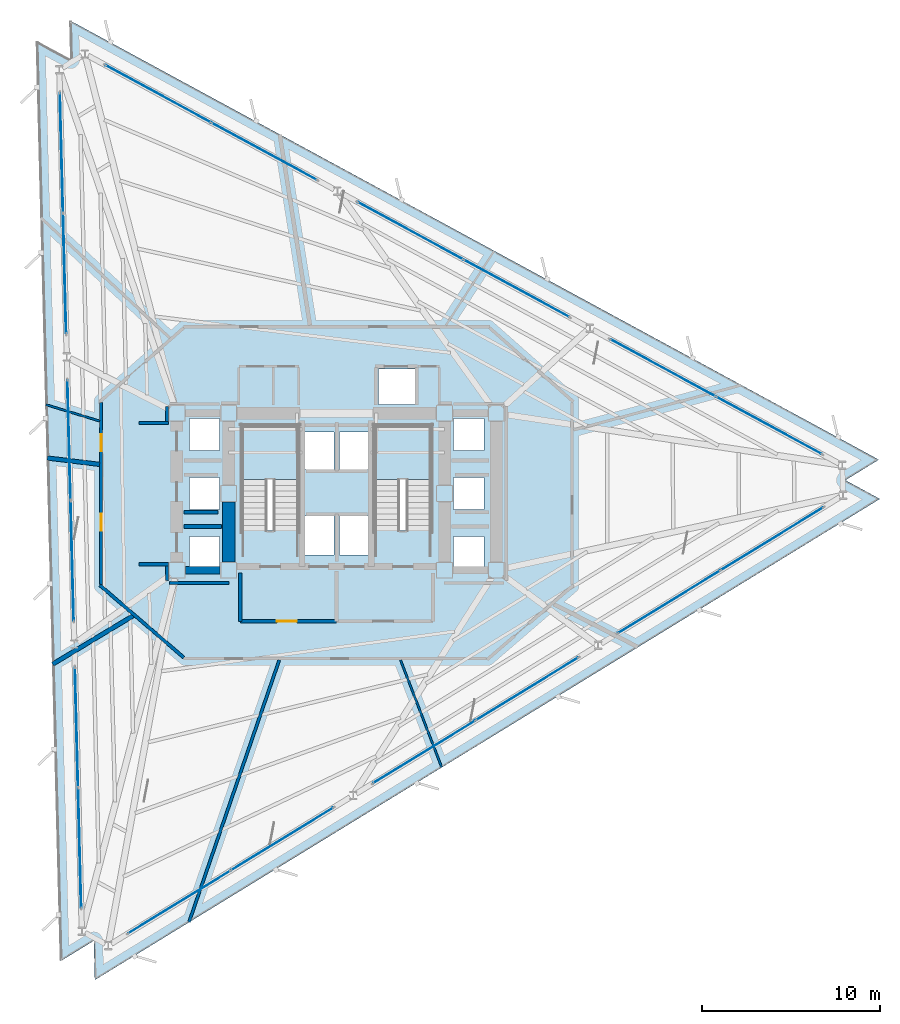
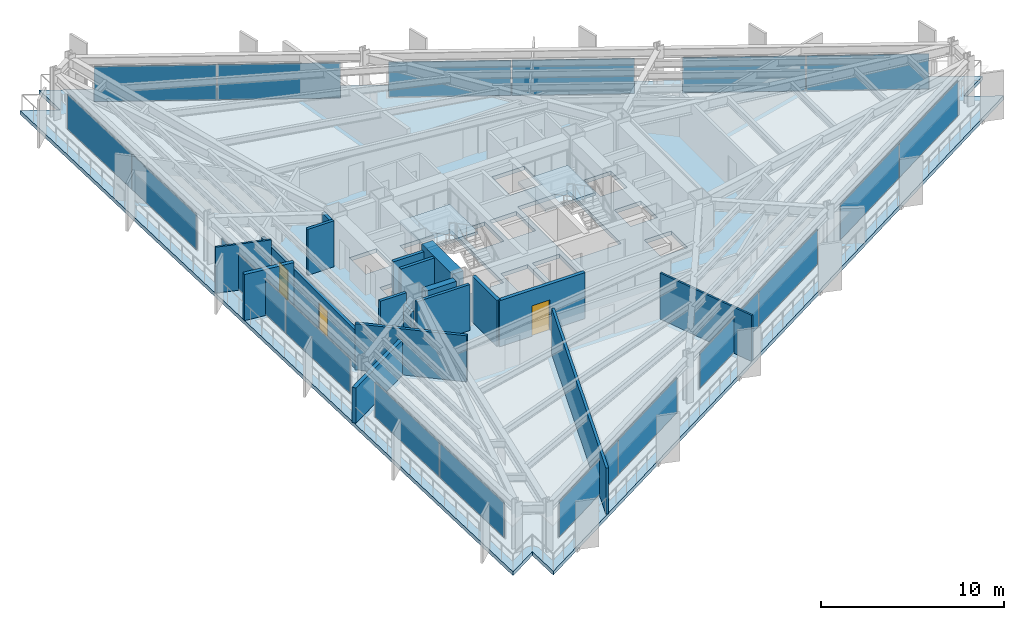
# One storey, part 7 of 14: 18 plates, 18 walls, 3 doors, 3 slabs, 3 openings, 11 elements without a shape of their own.
"""IFC4 building model written with IfcOpenShell, lengths in metres."""

from ifc_helpers import new_model, si_unit, direction, frame, frame_2d, origin, origin_2d, place, context, subcontext, project, spatial, polyline, rectangle, outline, extrude, material, layer, layer_set, type_object, element, fill, aggregate, save


model = new_model("IFC4")

# Units and contexts
model_context = context("Model", 3, precision=1e-05, world=origin(), true_north=direction((0.0, 1.0)))
body_context = subcontext(model_context, "Body", "Model", "MODEL_VIEW")
ifc_project = project(units=[si_unit("LENGTHUNIT", "METRE"), si_unit("AREAUNIT", "SQUARE_METRE"), si_unit("VOLUMEUNIT", "CUBIC_METRE"), si_unit("PLANEANGLEUNIT", "RADIAN"), si_unit("MASSUNIT", "GRAM", prefix="KILO")], contexts=[model_context])

# Site, building, storey
site_placement = place(None, origin())
site = spatial("IfcSite", under=ifc_project, at=site_placement, CompositionType="ELEMENT")
building_placement = place(site_placement, origin())
building = spatial("IfcBuilding", under=site, at=building_placement, Name="Rocaltana Carrier Exchange", CompositionType="ELEMENT")
storey_placement = place(building_placement, frame((0.0, 0.0, 35.679931640625)))
storey = spatial("IfcBuildingStorey", under=building, at=storey_placement, Name="L11", CompositionType="ELEMENT", Elevation=35.679931640625)

# Curtain wall, plates
ifc_material_1 = material(Name="Aluminium 6063-T6", Category="aluminium")
ifc_layer_1 = layer(ifc_material_1, 0.179931640625)
ifc_layer_set_1 = layer_set([ifc_layer_1], Name="Aluminium 6063-T6")
curtain_wall_type = type_object("IfcCurtainWallType", Name="Sandstone Spandrel Unitised Curtain Wall CW-01", PredefinedType="NOTDEFINED", material=ifc_layer_set_1)
curtain_wall_1_placement = place(storey_placement, origin())
curtain_wall_1 = element("IfcCurtainWall", 1, at=curtain_wall_1_placement, inside=storey, type_object=curtain_wall_type, Name="L11 CW-01 Run CW-L11-F1S1", PredefinedType="NOTDEFINED")
ifc_material_2 = material(Name="Tempered Laminated Glass", Category="glass")
ifc_layer_2 = layer(ifc_material_2, 0.0439453125)
ifc_layer_set_2 = layer_set([ifc_layer_2], Name="Tempered Laminated Glass")
plate_type = type_object("IfcPlateType", Name="CW-01 Stone-Insulated Vision Panel", PredefinedType="CURTAIN_PANEL", material=ifc_layer_set_2)
plate_1_placement = place(storey_placement, frame((24.23974609375, 3.8115234375, 0.06494140625), z_axis=(0.0, 0.0, 1.0), x_axis=(-0.878815639636, 0.477161473226, 0.0)))
plate_1 = element("IfcPlate", 2, at=plate_1_placement, type_object=plate_type, Name="CW-01 panel 1.1", PredefinedType="CURTAIN_PANEL", context=body_context, shape_type="SweptSolid", body=[
    extrude(rectangle(XDim=6.702392578125, YDim=0.0439453125, at=origin_2d()), origin(), (0.0, 0.0, 1.0), 2.347900390625),
])
plate_2_placement = place(storey_placement, frame((18.29248046875, 7.04052734375, 0.06494140625), z_axis=(0.0, 0.0, 1.0), x_axis=(-0.878815639636, 0.477161473226, 0.0)))
plate_2 = element("IfcPlate", 3, at=plate_2_placement, type_object=plate_type, Name="CW-01 panel 2.1", PredefinedType="CURTAIN_PANEL", context=body_context, shape_type="SweptSolid", body=[
    extrude(rectangle(XDim=6.702392578125, YDim=0.0439453125, at=origin_2d()), origin(), (0.0, 0.0, 1.0), 2.347900390625),
])
aggregate(curtain_wall_1, [plate_1, plate_2])

curtain_wall_2_placement = place(storey_placement, origin())
curtain_wall_2 = element("IfcCurtainWall", 4, at=curtain_wall_2_placement, inside=storey, type_object=curtain_wall_type, Name="L11 CW-01 Run CW-L11-F1S2", PredefinedType="NOTDEFINED")
plate_3_placement = place(storey_placement, frame((10.0908203125, 11.49365234375, 0.06494140625), z_axis=(0.0, 0.0, 1.0), x_axis=(-0.878814230428, 0.477164068636, 0.0)))
plate_3 = element("IfcPlate", 5, at=plate_3_placement, type_object=plate_type, Name="CW-01 panel 1.1", PredefinedType="CURTAIN_PANEL", context=body_context, shape_type="SweptSolid", body=[
    extrude(rectangle(XDim=6.70263671875, YDim=0.0439453125, at=origin_2d()), origin(), (0.0, 0.0, 1.0), 2.347900390625),
])
plate_4_placement = place(storey_placement, frame((4.1435546875, 14.722900390625, 0.06494140625), z_axis=(0.0, 0.0, 1.0), x_axis=(-0.878814230428, 0.477164068636, 0.0)))
plate_4 = element("IfcPlate", 6, at=plate_4_placement, type_object=plate_type, Name="CW-01 panel 2.1", PredefinedType="CURTAIN_PANEL", context=body_context, shape_type="SweptSolid", body=[
    extrude(rectangle(XDim=6.70263671875, YDim=0.0439453125, at=origin_2d()), origin(), (0.0, 0.0, 1.0), 2.347900390625),
])
aggregate(curtain_wall_2, [plate_3, plate_4])

curtain_wall_3_placement = place(storey_placement, origin())
curtain_wall_3 = element("IfcCurtainWall", 7, at=curtain_wall_3_placement, inside=storey, type_object=curtain_wall_type, Name="L11 CW-01 Run CW-L11-F1S3", PredefinedType="NOTDEFINED")
plate_5_placement = place(storey_placement, frame((-4.05810546875, 19.176025390625, 0.06494140625), z_axis=(0.0, 0.0, 1.0), x_axis=(-0.878818722982, 0.477155794406, 0.0)))
plate_5 = element("IfcPlate", 8, at=plate_5_placement, type_object=plate_type, Name="CW-01 panel 1.1", PredefinedType="CURTAIN_PANEL", context=body_context, shape_type="SweptSolid", body=[
    extrude(rectangle(XDim=6.702392578125, YDim=0.0439453125, at=origin_2d()), origin(), (0.0, 0.0, 1.0), 2.347900390625),
])
plate_6_placement = place(storey_placement, frame((-10.00537109375, 22.405029296875, 0.06494140625), z_axis=(0.0, 0.0, 1.0), x_axis=(-0.878818722982, 0.477155794406, 0.0)))
plate_6 = element("IfcPlate", 9, at=plate_6_placement, type_object=plate_type, Name="CW-01 panel 2.1", PredefinedType="CURTAIN_PANEL", context=body_context, shape_type="SweptSolid", body=[
    extrude(rectangle(XDim=6.702392578125, YDim=0.0439453125, at=origin_2d()), origin(), (0.0, 0.0, 1.0), 2.347900390625),
])
aggregate(curtain_wall_3, [plate_5, plate_6])

curtain_wall_4_placement = place(storey_placement, origin())
curtain_wall_4 = element("IfcCurtainWall", 10, at=curtain_wall_4_placement, inside=storey, type_object=curtain_wall_type, Name="L11 CW-01 Run CW-L11-F2S1", PredefinedType="NOTDEFINED")
plate_7_placement = place(storey_placement, frame((-15.420654296875, 19.086669921875, 0.06494140625), z_axis=(0.0, 0.0, 1.0), x_axis=(0.026183895077, -0.999657143044, 0.0)))
plate_7 = element("IfcPlate", 11, at=plate_7_placement, type_object=plate_type, Name="CW-01 panel 1.1", PredefinedType="CURTAIN_PANEL", context=body_context, shape_type="SweptSolid", body=[
    extrude(rectangle(XDim=6.702392578125, YDim=0.0439453125, at=origin_2d()), origin(), (0.0, 0.0, 1.0), 2.347900390625),
])
plate_8_placement = place(storey_placement, frame((-15.24365234375, 12.321533203125, 0.06494140625), z_axis=(0.0, 0.0, 1.0), x_axis=(0.026183895077, -0.999657143044, 0.0)))
plate_8 = element("IfcPlate", 12, at=plate_8_placement, type_object=plate_type, Name="CW-01 panel 2.1", PredefinedType="CURTAIN_PANEL", context=body_context, shape_type="SweptSolid", body=[
    extrude(rectangle(XDim=6.702392578125, YDim=0.0439453125, at=origin_2d()), origin(), (0.0, 0.0, 1.0), 2.347900390625),
])
aggregate(curtain_wall_4, [plate_7, plate_8])

curtain_wall_5_placement = place(storey_placement, origin())
curtain_wall_5 = element("IfcCurtainWall", 13, at=curtain_wall_5_placement, inside=storey, type_object=curtain_wall_type, Name="L11 CW-01 Run CW-L11-F2S2", PredefinedType="NOTDEFINED")
plate_9_placement = place(storey_placement, frame((-14.999267578125, 2.9921875, 0.06494140625), z_axis=(0.0, 0.0, 1.0), x_axis=(0.026176547142, -0.99965733548, 0.0)))
plate_9 = element("IfcPlate", 14, at=plate_9_placement, type_object=plate_type, Name="CW-01 panel 1.1", PredefinedType="CURTAIN_PANEL", context=body_context, shape_type="SweptSolid", body=[
    extrude(rectangle(XDim=6.702392578125, YDim=0.0439453125, at=origin_2d()), origin(), (0.0, 0.0, 1.0), 2.347900390625),
])
plate_10_placement = place(storey_placement, frame((-14.822021484375, -3.77294921875, 0.06494140625), z_axis=(0.0, 0.0, 1.0), x_axis=(0.026176547142, -0.99965733548, 0.0)))
plate_10 = element("IfcPlate", 15, at=plate_10_placement, type_object=plate_type, Name="CW-01 panel 2.1", PredefinedType="CURTAIN_PANEL", context=body_context, shape_type="SweptSolid", body=[
    extrude(rectangle(XDim=6.702392578125, YDim=0.0439453125, at=origin_2d()), origin(), (0.0, 0.0, 1.0), 2.347900390625),
])
aggregate(curtain_wall_5, [plate_9, plate_10])

curtain_wall_6_placement = place(storey_placement, origin())
curtain_wall_6 = element("IfcCurtainWall", 16, at=curtain_wall_6_placement, inside=storey, type_object=curtain_wall_type, Name="L11 CW-01 Run CW-L11-F2S3", PredefinedType="NOTDEFINED")
plate_11_placement = place(storey_placement, frame((-14.577880859375, -13.102294921875, 0.06494140625), z_axis=(0.0, 0.0, 1.0), x_axis=(0.026183895077, -0.999657143044, 0.0)))
plate_11 = element("IfcPlate", 17, at=plate_11_placement, type_object=plate_type, Name="CW-01 panel 1.1", PredefinedType="CURTAIN_PANEL", context=body_context, shape_type="SweptSolid", body=[
    extrude(rectangle(XDim=6.702392578125, YDim=0.0439453125, at=origin_2d()), origin(), (0.0, 0.0, 1.0), 2.347900390625),
])
plate_12_placement = place(storey_placement, frame((-14.400634765625, -19.867431640625, 0.06494140625), z_axis=(0.0, 0.0, 1.0), x_axis=(0.026183895077, -0.999657143044, 0.0)))
plate_12 = element("IfcPlate", 18, at=plate_12_placement, type_object=plate_type, Name="CW-01 panel 2.1", PredefinedType="CURTAIN_PANEL", context=body_context, shape_type="SweptSolid", body=[
    extrude(rectangle(XDim=6.702392578125, YDim=0.0439453125, at=origin_2d()), origin(), (0.0, 0.0, 1.0), 2.347900390625),
])
aggregate(curtain_wall_6, [plate_11, plate_12])

curtain_wall_7_placement = place(storey_placement, origin())
curtain_wall_7 = element("IfcCurtainWall", 19, at=curtain_wall_7_placement, inside=storey, type_object=curtain_wall_type, Name="L11 CW-01 Run CW-L11-F3S1", PredefinedType="NOTDEFINED")
plate_13_placement = place(storey_placement, frame((-8.819091796875, -22.898193359375, 0.06494140625), z_axis=(0.0, 0.0, 1.0), x_axis=(0.852636123996, 0.522505157925, 0.0)))
plate_13 = element("IfcPlate", 20, at=plate_13_placement, type_object=plate_type, Name="CW-01 panel 1.1", PredefinedType="CURTAIN_PANEL", context=body_context, shape_type="SweptSolid", body=[
    extrude(rectangle(XDim=6.70263671875, YDim=0.0439453125, at=origin_2d()), origin(), (0.0, 0.0, 1.0), 2.347900390625),
])
plate_14_placement = place(storey_placement, frame((-3.048828125, -19.362060546875, 0.06494140625), z_axis=(0.0, 0.0, 1.0), x_axis=(0.852636123996, 0.522505157925, 0.0)))
plate_14 = element("IfcPlate", 21, at=plate_14_placement, type_object=plate_type, Name="CW-01 panel 2.1", PredefinedType="CURTAIN_PANEL", context=body_context, shape_type="SweptSolid", body=[
    extrude(rectangle(XDim=6.70263671875, YDim=0.0439453125, at=origin_2d()), origin(), (0.0, 0.0, 1.0), 2.347900390625),
])
aggregate(curtain_wall_7, [plate_13, plate_14])

curtain_wall_8_placement = place(storey_placement, origin())
curtain_wall_8 = element("IfcCurtainWall", 22, at=curtain_wall_8_placement, inside=storey, type_object=curtain_wall_type, Name="L11 CW-01 Run CW-L11-F3S2", PredefinedType="NOTDEFINED")
plate_15_placement = place(storey_placement, frame((4.908447265625, -14.48583984375, 0.06494140625), z_axis=(0.0, 0.0, 1.0), x_axis=(0.852639399762, 0.522499812415, 0.0)))
plate_15 = element("IfcPlate", 23, at=plate_15_placement, type_object=plate_type, Name="CW-01 panel 1.1", PredefinedType="CURTAIN_PANEL", context=body_context, shape_type="SweptSolid", body=[
    extrude(rectangle(XDim=6.702392578125, YDim=0.0439453125, at=origin_2d()), origin(), (0.0, 0.0, 1.0), 2.347900390625),
])
plate_16_placement = place(storey_placement, frame((10.678466796875, -10.94970703125, 0.06494140625), z_axis=(0.0, 0.0, 1.0), x_axis=(0.852639399762, 0.522499812415, 0.0)))
plate_16 = element("IfcPlate", 24, at=plate_16_placement, type_object=plate_type, Name="CW-01 panel 2.1", PredefinedType="CURTAIN_PANEL", context=body_context, shape_type="SweptSolid", body=[
    extrude(rectangle(XDim=6.702392578125, YDim=0.0439453125, at=origin_2d()), origin(), (0.0, 0.0, 1.0), 2.347900390625),
])
aggregate(curtain_wall_8, [plate_15, plate_16])

curtain_wall_9_placement = place(storey_placement, origin())
curtain_wall_9 = element("IfcCurtainWall", 25, at=curtain_wall_9_placement, inside=storey, type_object=curtain_wall_type, Name="L11 CW-01 Run CW-L11-F3S3", PredefinedType="NOTDEFINED")
plate_17_placement = place(storey_placement, frame((18.6357421875, -6.07373046875, 0.06494140625), z_axis=(0.0, 0.0, 1.0), x_axis=(0.852639399762, 0.522499812415, 0.0)))
plate_17 = element("IfcPlate", 26, at=plate_17_placement, type_object=plate_type, Name="CW-01 panel 1.1", PredefinedType="CURTAIN_PANEL", context=body_context, shape_type="SweptSolid", body=[
    extrude(rectangle(XDim=6.702392578125, YDim=0.0439453125, at=origin_2d()), origin(), (0.0, 0.0, 1.0), 2.347900390625),
])
plate_18_placement = place(storey_placement, frame((24.406005859375, -2.53759765625, 0.06494140625), z_axis=(0.0, 0.0, 1.0), x_axis=(0.852639399762, 0.522499812415, 0.0)))
plate_18 = element("IfcPlate", 27, at=plate_18_placement, type_object=plate_type, Name="CW-01 panel 2.1", PredefinedType="CURTAIN_PANEL", context=body_context, shape_type="SweptSolid", body=[
    extrude(rectangle(XDim=6.702392578125, YDim=0.0439453125, at=origin_2d()), origin(), (0.0, 0.0, 1.0), 2.347900390625),
])
aggregate(curtain_wall_9, [plate_17, plate_18])

# Slab
ifc_material_3 = material(Name="Concrete C60/75", Category="concrete")
ifc_layer_3 = layer(ifc_material_3, 0.260009765625)
ifc_layer_set_3 = layer_set([ifc_layer_3], Name="Concrete C60/75")
slab_type_1 = type_object("IfcSlabType", Name="Low-Zone Tower Slab 260", PredefinedType="FLOOR", material=ifc_layer_set_3)
slab_1_placement = place(storey_placement, frame((0.0, 0.0, -0.260009765625)))
element("IfcSlab", 28, at=slab_1_placement, inside=storey, type_object=slab_type_1, Name="L11 Structural Floor Slab", PredefinedType="FLOOR", context=body_context, shape_type="SweptSolid", body=[
    extrude(outline(polyline([(30.444580078125, -0.30322265625), (28.51123046875, 0.74658203125), (30.38720703125, 1.89599609375), (-14.959716796875, 26.517578125), (-14.902099609375, 24.318115234375), (-16.835693359375, 25.367919921875), (-15.48486328125, -26.21435546875), (-13.609130859375, -25.064697265625), (-13.551513671875, -27.26416015625), (30.444580078125, -0.30322265625)]), holes=[polyline([(-5.300048828125, -2.06005859375), (-2.139892578125, -2.06005859375), (-2.139892578125, 3.800048828125), (-5.300048828125, 3.800048828125), (-5.300048828125, -2.06005859375)]), polyline([(2.139892578125, -2.06005859375), (5.300048828125, -2.06005859375), (5.300048828125, 3.800048828125), (2.139892578125, 3.800048828125), (2.139892578125, -2.06005859375)]), polyline([(-1.85009765625, -3.449951171875), (-0.14990234375, -3.449951171875), (-0.14990234375, -1.25), (-1.85009765625, -1.25), (-1.85009765625, -3.449951171875)]), polyline([(0.14990234375, -3.449951171875), (1.85009765625, -3.449951171875), (1.85009765625, -1.25), (0.14990234375, -1.25), (0.14990234375, -3.449951171875)]), polyline([(2.35009765625, 4.97998046875), (4.39990234375, 4.97998046875), (4.39990234375, 6.97998046875), (2.35009765625, 6.97998046875), (2.35009765625, 4.97998046875)]), polyline([(-1.85009765625, 1.35009765625), (-0.14990234375, 1.35009765625), (-0.14990234375, 3.449951171875), (-1.85009765625, 3.449951171875), (-1.85009765625, 1.35009765625)]), polyline([(0.14990234375, 1.35009765625), (1.85009765625, 1.35009765625), (1.85009765625, 3.449951171875), (0.14990234375, 3.449951171875), (0.14990234375, 1.35009765625)]), polyline([(-8.25, -4.199951171875), (-6.550048828125, -4.199951171875), (-6.550048828125, -2.39990234375), (-8.25, -2.39990234375), (-8.25, -4.199951171875)]), polyline([(-8.25, -0.89990234375), (-6.550048828125, -0.89990234375), (-6.550048828125, 0.89990234375), (-8.25, 0.89990234375), (-8.25, -0.89990234375)]), polyline([(-8.25, 2.39990234375), (-6.550048828125, 2.39990234375), (-6.550048828125, 4.199951171875), (-8.25, 4.199951171875), (-8.25, 2.39990234375)]), polyline([(6.550048828125, -4.199951171875), (8.25, -4.199951171875), (8.25, -2.39990234375), (6.550048828125, -2.39990234375), (6.550048828125, -4.199951171875)]), polyline([(6.550048828125, -0.89990234375), (8.25, -0.89990234375), (8.25, 0.89990234375), (6.550048828125, 0.89990234375), (6.550048828125, -0.89990234375)]), polyline([(6.550048828125, 2.39990234375), (8.25, 2.39990234375), (8.25, 4.199951171875), (6.550048828125, 4.199951171875), (6.550048828125, 2.39990234375)])]), origin(), (0.0, 0.0, 1.0), 0.260009765625),
])

# Stair, slab
ifc_material_4 = material(Name="Precast concrete C45/55", Category="concrete")
stair_type = type_object("IfcStairType", Name="Standard Dog-Leg Stair 160", PredefinedType="HALF_TURN_STAIR", material=ifc_material_4)
stair_1_placement = place(storey_placement, origin())
stair_1 = element("IfcStair", 29, at=stair_1_placement, inside=storey, type_object=stair_type, Name="L11 Core West Exit Stair ST-1", PredefinedType="HALF_TURN_STAIR")
ifc_material_5 = material(Name="Precast concrete C45/55", Category="concrete")
ifc_layer_4 = layer(ifc_material_5, 0.199951171875)
ifc_layer_set_4 = layer_set([ifc_layer_4], Name="Precast concrete C45/55")
slab_type_2 = type_object("IfcSlabType", Name="Precast Stair Half-Landing 200", PredefinedType="LANDING", material=ifc_layer_set_4)
slab_2_placement = place(storey_placement, frame((0.0, 0.0, 1.47998046875)))
slab_2 = element("IfcSlab", 30, at=slab_2_placement, type_object=slab_type_2, Name="ST-1 landing 1", PredefinedType="LANDING", context=body_context, shape_type="SweptSolid", body=[
    extrude(outline(polyline([(-2.139892578125, 0.780029296875), (-2.139892578125, 3.800048828125), (-5.300048828125, 3.800048828125), (-5.300048828125, 0.780029296875), (-2.139892578125, 0.780029296875)])), origin(), (0.0, 0.0, 1.0), 0.2001953125),
])
aggregate(stair_1, [slab_2])

stair_2_placement = place(storey_placement, origin())
stair_2 = element("IfcStair", 31, at=stair_2_placement, inside=storey, type_object=stair_type, Name="L11 Core East Exit Stair ST-2", PredefinedType="HALF_TURN_STAIR")
slab_3_placement = place(storey_placement, frame((0.0, 0.0, 1.47998046875)))
slab_3 = element("IfcSlab", 32, at=slab_3_placement, type_object=slab_type_2, Name="ST-2 landing 1", PredefinedType="LANDING", context=body_context, shape_type="SweptSolid", body=[
    extrude(outline(polyline([(5.300048828125, 0.780029296875), (5.300048828125, 3.800048828125), (2.139892578125, 3.800048828125), (2.139892578125, 0.780029296875), (5.300048828125, 0.780029296875)])), origin(), (0.0, 0.0, 1.0), 0.2001953125),
])
aggregate(stair_2, [slab_3])

# Walls
ifc_material_6 = material(Name="Double Acoustic Gypsum Partition", Category="gypsum")
ifc_layer_5 = layer(ifc_material_6, 0.159912109375)
ifc_layer_set_5 = layer_set([ifc_layer_5], Name="Double Acoustic Gypsum Partition")
wall_type_1 = type_object("IfcWallType", Name="Acoustic Studio Partition 160 EI60", PredefinedType="PARTITIONING", material=ifc_layer_set_5)
wall_1_placement = place(storey_placement, frame((-3.212646484375, -9.330078125, 0.0), z_axis=(0.0, 0.0, 1.0), x_axis=(-0.325559016245, -0.945521722089, 0.0)))
element("IfcWall", 33, at=wall_1_placement, inside=storey, type_object=wall_type_1, Name="L11 Suite Divider Wall D2", PredefinedType="PARTITIONING", context=body_context, shape_type="SweptSolid", body=[
    extrude(rectangle(XDim=15.531494140625, YDim=0.159912109375, at=frame_2d((7.765625, 0.0))), origin(), (0.0, 0.0, 1.0), 3.072998046875),
])
ifc_material_7 = material(Name="Concrete C50/60", Category="concrete")
ifc_layer_6 = layer(ifc_material_7, 0.39990234375)
ifc_layer_set_6 = layer_set([ifc_layer_6], Name="Concrete C50/60")
wall_type_2 = type_object("IfcWallType", Name="Core Internal Shear Wall 400", PredefinedType="SHEAR", material=ifc_layer_set_6)
wall_2_placement = place(storey_placement, frame((-8.47509765625, -4.300048828125, 0.0), z_axis=(0.0, 0.0, 1.0), x_axis=(1.0, 0.0, 0.0)))
element("IfcWall", 34, at=wall_2_placement, inside=storey, type_object=wall_type_2, Name="L11 Core Shear Wall CW-WWS", PredefinedType="SHEAR", context=body_context, shape_type="SweptSolid", body=[
    extrude(rectangle(XDim=1.9501953125, YDim=0.39990234375, at=frame_2d((0.97509765625, 0.0))), origin(), (0.0, 0.0, 1.0), 3.09814453125),
])
ifc_material_8 = material(Name="Concrete C60/75", Category="concrete")
ifc_layer_7 = layer(ifc_material_8, 0.699951171875)
ifc_layer_set_7 = layer_set([ifc_layer_7], Name="Concrete C60/75")
wall_type_3 = type_object("IfcWallType", Name="Core Shear Wall 700", PredefinedType="SHEAR", material=ifc_layer_set_7)
wall_3_placement = place(storey_placement, frame((-6.050048828125, -3.824951171875, 0.0), z_axis=(0.0, 0.0, 1.0), x_axis=(0.0, 1.0, 0.0)))
element("IfcWall", 35, at=wall_3_placement, inside=storey, type_object=wall_type_3, Name="L11 Core Shear Wall CW-WS", PredefinedType="SHEAR", context=body_context, shape_type="SweptSolid", body=[
    extrude(rectangle(XDim=3.349853515625, YDim=0.699951171875, at=frame_2d((1.6748046875, 0.0))), origin(), (0.0, 0.0, 1.0), 3.09814453125),
])
ifc_material_9 = material(Name="Gypsum & Steel Stud Partition", Category="steel")
ifc_layer_8 = layer(ifc_material_9, 0.179931640625)
ifc_layer_set_8 = layer_set([ifc_layer_8], Name="Gypsum & Steel Stud Partition")
wall_type_4 = type_object("IfcWallType", Name="Corridor Fire Partition 180 EI60", PredefinedType="PARTITIONING", material=ifc_layer_set_8)
wall_4_placement = place(storey_placement, frame((-8.568115234375, -9.191162109375, 0.0), z_axis=(0.0, 0.0, 1.0), x_axis=(-0.757556899173, 0.652769135694, 0.0)))
element("IfcWall", 36, at=wall_4_placement, inside=storey, type_object=wall_type_4, Name="L11 Corridor Partition 6", PredefinedType="PARTITIONING", context=body_context, shape_type="SweptSolid", body=[
    extrude(rectangle(XDim=6.204345703125, YDim=0.179931640625, at=frame_2d((3.10205078125, 0.0))), origin(), (0.0, 0.0, 1.0), 3.072998046875),
])

# Wall, openings, doors
wall_5_placement = place(storey_placement, frame((-13.199951171875, -5.110107421875, 0.0), z_axis=(0.0, 0.0, 1.0), x_axis=(0.0, 1.0, 0.0)))
wall_5 = element("IfcWall", 37, at=wall_5_placement, inside=storey, type_object=wall_type_4, Name="L11 Corridor Partition 7", PredefinedType="PARTITIONING", context=body_context, shape_type="SweptSolid", body=[
    extrude(rectangle(XDim=10.22021484375, YDim=0.179931640625, at=frame_2d((5.110107421875, 0.0))), origin(), (0.0, 0.0, 1.0), 2.587158203125),
])
opening_1_placement = place(wall_5_placement, frame((3.020263671875, 0.0, 0.0)))
opening_1 = element("IfcOpeningElement", 38, at=opening_1_placement, cuts=wall_5, Name="Opening D-RM098", PredefinedType="OPENING", context=body_context, shape_type="SweptSolid", body=[
    extrude(rectangle(XDim=0.9599609375, YDim=2.02001953125, at=frame_2d((0.47998046875, 1.010009765625))), frame((0.0, 0.099853515625, 0.0), z_axis=(0.0, -1.0, 0.0), x_axis=(1.0, 0.0, 0.0)), (0.0, 0.0, 1.0), 0.199951171875),
])
opening_2_placement = place(wall_5_placement, frame((7.474365234375, 0.0, 0.0)))
opening_2 = element("IfcOpeningElement", 39, at=opening_2_placement, cuts=wall_5, Name="Opening D-RM098", PredefinedType="OPENING", context=body_context, shape_type="SweptSolid", body=[
    extrude(rectangle(XDim=0.9599609375, YDim=2.02001953125, at=frame_2d((0.47998046875, 1.010009765625))), frame((0.0, 0.099853515625, 0.0), z_axis=(0.0, -1.0, 0.0), x_axis=(1.0, 0.0, 0.0)), (0.0, 0.0, 1.0), 0.199951171875),
])
ifc_material_10 = material(Name="Engineered Hardwood Timber", Category="wood")
door_type_1 = type_object("IfcDoorType", Name="Workspace Single Door 960x2020", OperationType="NOTDEFINED", PredefinedType="DOOR", material=ifc_material_10)
door_1_placement = place(opening_1_placement, origin())
door_1 = element("IfcDoor", 40, at=door_1_placement, inside=storey, type_object=door_type_1, Name="L11 Peering Conference Room Entrance Door", OperationType="SINGLE_SWING_LEFT", OverallHeight=2.02001953125, OverallWidth=0.9599609375, PredefinedType="DOOR", context=body_context, shape_type="SweptSolid", body=[
    extrude(rectangle(XDim=0.9599609375, YDim=2.02001953125, at=frame_2d((0.47998046875, 1.010009765625))), frame((0.0, 0.02490234375, 0.0), z_axis=(0.0, -1.0, 0.0), x_axis=(1.0, 0.0, 0.0)), (0.0, 0.0, 1.0), 0.050048828125),
])
fill(opening_1, door_1)
door_2_placement = place(opening_2_placement, origin())
door_2 = element("IfcDoor", 41, at=door_2_placement, inside=storey, type_object=door_type_1, Name="L11 Cloud Architecture Office Entrance Door", OperationType="SINGLE_SWING_RIGHT", OverallHeight=2.02001953125, OverallWidth=0.9599609375, PredefinedType="DOOR", context=body_context, shape_type="SweptSolid", body=[
    extrude(rectangle(XDim=0.9599609375, YDim=2.02001953125, at=frame_2d((0.47998046875, 1.010009765625))), frame((0.0, 0.02490234375, 0.0), z_axis=(0.0, -1.0, 0.0), x_axis=(1.0, 0.0, 0.0)), (0.0, 0.0, 1.0), 0.050048828125),
])
fill(opening_2, door_2)

# Walls
wall_6_placement = place(storey_placement, frame((-9.510009765625, 4.8701171875, 0.0), z_axis=(0.0, 0.0, 1.0), x_axis=(0.0, -1.0, 0.0)))
element("IfcWall", 42, at=wall_6_placement, inside=storey, type_object=wall_type_4, Name="L11 Corridor Partition 9", PredefinedType="PARTITIONING", context=body_context, shape_type="SweptSolid", body=[
    extrude(rectangle(XDim=0.820068359375, YDim=0.179931640625, at=frame_2d((0.41015625, 0.0))), origin(), (0.0, 0.0, 1.0), 3.072998046875),
])
for number, where, z_axis, x_axis, name in (
    (43, (-9.419921875, 3.9599609375, 0.0), (0.0, 0.0, 1.0), (-1.0, 0.0, 0.0), "L11 Corridor Partition 10"),
    (44, (-11.070068359375, -3.9599609375, 0.0), (0.0, 0.0, 1.0), (1.0, 0.0, 0.0), "L11 Corridor Partition 11"),
):
    element("IfcWall", number, at=place(storey_placement, frame(where, z_axis=z_axis, x_axis=x_axis)), inside=storey, type_object=wall_type_4, Name=name, PredefinedType="PARTITIONING", context=body_context, shape_type="SweptSolid", body=[
        extrude(rectangle(XDim=1.650146484375, YDim=0.179931640625, at=frame_2d((0.8251953125, 0.0))), origin(), (0.0, 0.0, 1.0), 3.072998046875),
    ])
wall_7_placement = place(storey_placement, frame((-9.510009765625, -4.050048828125, 0.0), z_axis=(0.0, 0.0, 1.0), x_axis=(0.0, -1.0, 0.0)))
element("IfcWall", 45, at=wall_7_placement, inside=storey, type_object=wall_type_4, Name="L11 Corridor Partition 12", PredefinedType="PARTITIONING", context=body_context, shape_type="SweptSolid", body=[
    extrude(rectangle(XDim=0.820068359375, YDim=0.179931640625, at=frame_2d((0.41015625, 0.0))), origin(), (0.0, 0.0, 1.0), 2.358154296875),
])
wall_8_placement = place(storey_placement, frame((-9.3701171875, -5.010009765625, 0.0), z_axis=(0.0, 0.0, 1.0), x_axis=(1.0, 0.0, 0.0)))
element("IfcWall", 46, at=wall_8_placement, inside=storey, type_object=wall_type_4, Name="L11 Corridor Partition 13", PredefinedType="PARTITIONING", context=body_context, shape_type="SweptSolid", body=[
    extrude(rectangle(XDim=3.340087890625, YDim=0.179931640625, at=frame_2d((1.669921875, 0.0))), origin(), (0.0, 0.0, 1.0), 3.072998046875),
])
ifc_material_11 = material(Name="Aluminium 6063-T6 & Acoustic Glass", Category="aluminium")
ifc_layer_9 = layer(ifc_material_11, 0.114990234375)
ifc_layer_set_9 = layer_set([ifc_layer_9], Name="Aluminium 6063-T6 & Acoustic Glass")
wall_type_5 = type_object("IfcWallType", Name="Demountable Glazed Lab Partition 115", PredefinedType="MOVABLE", material=ifc_layer_set_9)
wall_9_placement = place(storey_placement, frame((3.58154296875, -9.330078125, 0.0), z_axis=(0.0, 0.0, 1.0), x_axis=(0.358341066906, -0.933590745332, 0.0)))
element("IfcWall", 47, at=wall_9_placement, inside=storey, type_object=wall_type_5, Name="L11 Suite Divider Wall D3", PredefinedType="MOVABLE", context=body_context, shape_type="SweptSolid", body=[
    extrude(rectangle(XDim=6.43701171875, YDim=0.114990234375, at=frame_2d((3.218505859375, 0.0))), origin(), (0.0, 0.0, 1.0), 3.072998046875),
])
wall_10_placement = place(storey_placement, frame((-13.280029296875, 4.06005859375, 0.0), z_axis=(0.0, 0.0, 1.0), x_axis=(-0.956293781209, 0.292407599118, 0.0)))
element("IfcWall", 48, at=wall_10_placement, inside=storey, type_object=wall_type_5, Name="L11 Suite Divider Wall D9", PredefinedType="MOVABLE", context=body_context, shape_type="SweptSolid", body=[
    extrude(rectangle(XDim=3.1494140625, YDim=0.114990234375, at=frame_2d((1.57470703125, 0.0))), origin(), (0.0, 0.0, 1.0), 3.072998046875),
])
ifc_material_12 = material(Name="Autoclaved Aerated Concrete C30/37", Category="concrete")
ifc_layer_10 = layer(ifc_material_12, 0.219970703125)
ifc_layer_set_10 = layer_set([ifc_layer_10], Name="Autoclaved Aerated Concrete C30/37")
wall_type_6 = type_object("IfcWallType", Name="Firefighting Lobby Wall 220 EI120", PredefinedType="PARTITIONING", material=ifc_layer_set_10)
wall_11_placement = place(storey_placement, frame((-5.39990234375, -7.159912109375, 0.0), z_axis=(0.0, 0.0, 1.0), x_axis=(0.0, 1.0, 0.0)))
element("IfcWall", 49, at=wall_11_placement, inside=storey, type_object=wall_type_6, Name="L11 FFL Lobby 1 West Wall", PredefinedType="PARTITIONING", context=body_context, shape_type="SweptSolid", body=[
    extrude(rectangle(XDim=2.7099609375, YDim=0.219970703125, at=frame_2d((1.35498046875, 0.0))), origin(), (0.0, 0.0, 1.0), 3.072998046875),
])

# Wall, opening, door
wall_12_placement = place(storey_placement, frame((-5.39990234375, -7.159912109375, 0.0), z_axis=(0.0, 0.0, 1.0), x_axis=(1.0, 0.0, 0.0)))
wall_12 = element("IfcWall", 50, at=wall_12_placement, inside=storey, type_object=wall_type_6, Name="L11 FFL Lobby 1 South Wall", PredefinedType="PARTITIONING", context=body_context, shape_type="SweptSolid", body=[
    extrude(rectangle(XDim=5.39990234375, YDim=0.219970703125, at=frame_2d((2.699951171875, 0.0))), origin(), (0.0, 0.0, 1.0), 3.072998046875),
])
opening_3_placement = place(wall_12_placement, frame((2.050048828125, 0.0, 0.0)))
opening_3 = element("IfcOpeningElement", 51, at=opening_3_placement, cuts=wall_12, Name="Opening D-FF115", PredefinedType="OPENING", context=body_context, shape_type="SweptSolid", body=[
    extrude(rectangle(XDim=1.1201171875, YDim=2.02001953125, at=frame_2d((0.56005859375, 1.010009765625))), frame((0.0, 0.119873046875, 0.0), z_axis=(0.0, -1.0, 0.0), x_axis=(1.0, 0.0, 0.0)), (0.0, 0.0, 1.0), 0.239990234375),
])
ifc_material_13 = material(Name="Hollow Metal Fire Door Assembly", Category="steel")
door_type_2 = type_object("IfcDoorType", Name="Firefighting Lobby Door 1120x2020 FD60S", OperationType="NOTDEFINED", PredefinedType="DOOR", material=ifc_material_13)
door_3_placement = place(opening_3_placement, origin())
door_3 = element("IfcDoor", 52, at=door_3_placement, inside=storey, type_object=door_type_2, Name="L11 Firefighting Lift Lobby 1 Door", OperationType="SINGLE_SWING_RIGHT", OverallHeight=2.02001953125, OverallWidth=1.1201171875, PredefinedType="DOOR", context=body_context, shape_type="SweptSolid", body=[
    extrude(rectangle(XDim=1.1201171875, YDim=2.02001953125, at=frame_2d((0.56005859375, 1.010009765625))), frame((0.0, 0.02490234375, 0.0), z_axis=(0.0, -1.0, 0.0), x_axis=(1.0, 0.0, 0.0)), (0.0, 0.0, 1.0), 0.050048828125),
])
fill(opening_3, door_3)

# Walls
ifc_material_14 = material(Name="Acoustic Calcium Silicate Partition", Category="gypsum")
ifc_layer_11 = layer(ifc_material_14, 0.239990234375)
ifc_layer_set_11 = layer_set([ifc_layer_11], Name="Acoustic Calcium Silicate Partition")
wall_type_7 = type_object("IfcWallType", Name="Heavy Lab Partition 240 EI90", PredefinedType="PARTITIONING", material=ifc_layer_set_11)
wall_13_placement = place(storey_placement, frame((-11.40478515625, -6.8525390625, 0.0), z_axis=(0.0, 0.0, 1.0), x_axis=(-0.857148529273, -0.515069314524, 0.0)))
element("IfcWall", 53, at=wall_13_placement, inside=storey, type_object=wall_type_7, Name="L11 Suite Divider Wall D1", PredefinedType="PARTITIONING", context=body_context, shape_type="SweptSolid", body=[
    extrude(rectangle(XDim=5.257080078125, YDim=0.239990234375, at=frame_2d((2.62841796875, 0.0))), origin(), (0.0, 0.0, 1.0), 2.358154296875),
])
wall_14_placement = place(storey_placement, frame((-13.280029296875, 1.630615234375, 0.0), z_axis=(0.0, 0.0, 1.0), x_axis=(-0.992548714485, 0.121848468903, 0.0)))
element("IfcWall", 54, at=wall_14_placement, inside=storey, type_object=wall_type_7, Name="L11 Suite Divider Wall D10", PredefinedType="PARTITIONING", context=body_context, shape_type="SweptSolid", body=[
    extrude(rectangle(XDim=2.955322265625, YDim=0.239990234375, at=frame_2d((1.4775390625, 0.0))), origin(), (0.0, 0.0, 1.0), 3.072998046875),
])
ifc_material_15 = material(Name="Reinforced Concrete Block C35/45", Category="concrete")
ifc_layer_12 = layer(ifc_material_15, 0.199951171875)
ifc_layer_set_12 = layer_set([ifc_layer_12], Name="Reinforced Concrete Block C35/45")
wall_type_8 = type_object("IfcWallType", Name="Lift Hoistway Enclosure Wall 200 EI120", PredefinedType="PARTITIONING", material=ifc_layer_set_12)
wall_15_placement = place(storey_placement, frame((-8.550048828125, -1.85009765625, 0.0), z_axis=(0.0, 0.0, 1.0), x_axis=(1.0, 0.0, 0.0)))
element("IfcWall", 55, at=wall_15_placement, inside=storey, type_object=wall_type_8, Name="L11 Low-Rise Shaft Divider 1", PredefinedType="PARTITIONING", context=body_context, shape_type="SweptSolid", body=[
    extrude(rectangle(XDim=2.10009765625, YDim=0.199951171875, at=frame_2d((1.050048828125, 0.0))), origin(), (0.0, 0.0, 1.0), 3.072998046875),
])
wall_16_placement = place(storey_placement, frame((-8.550048828125, -1.050048828125, 0.0), z_axis=(0.0, 0.0, 1.0), x_axis=(1.0, 0.0, 0.0)))
element("IfcWall", 56, at=wall_16_placement, inside=storey, type_object=wall_type_8, Name="L11 Low-Rise Center Shaft Wall South", PredefinedType="PARTITIONING", context=body_context, shape_type="SweptSolid", body=[
    extrude(rectangle(XDim=1.91015625, YDim=0.199951171875, at=frame_2d((0.955078125, 0.0))), origin(), (0.0, 0.0, 1.0), 3.072998046875),
])

save(model, "model.ifc")
